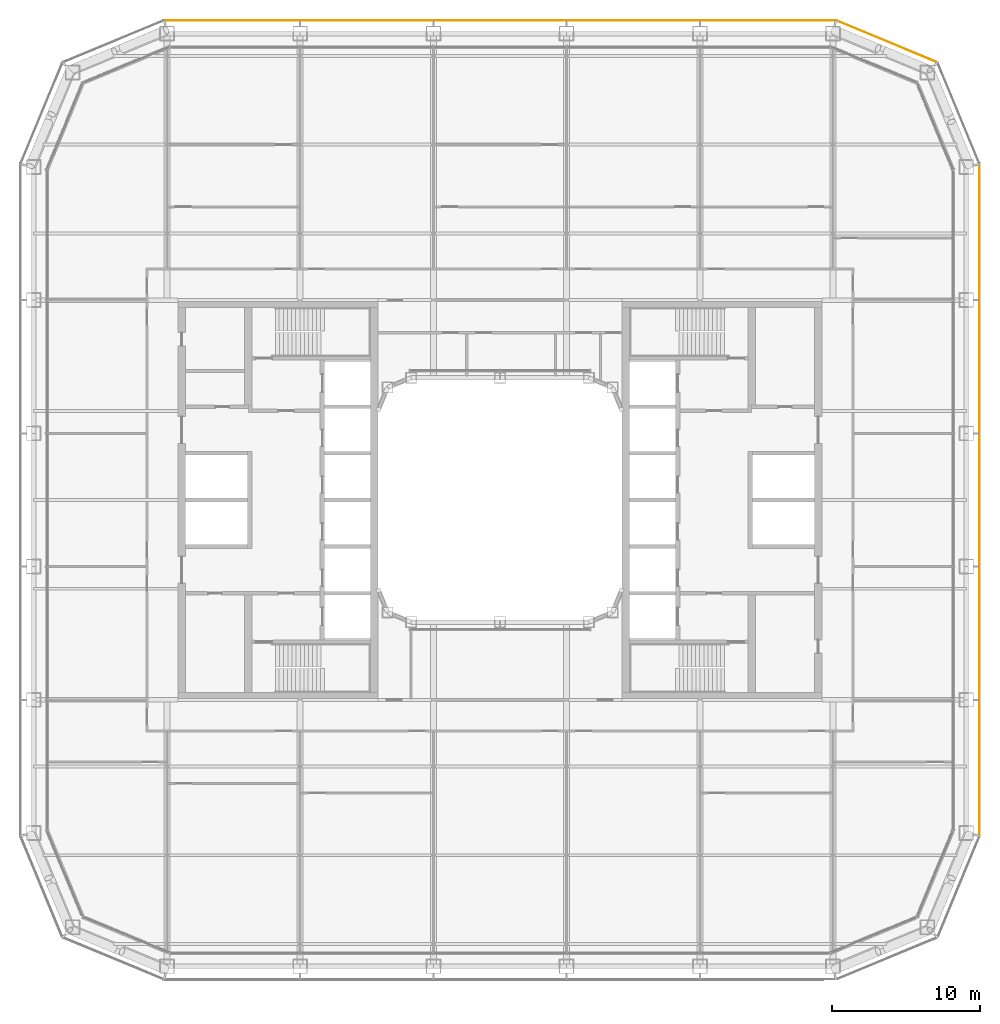
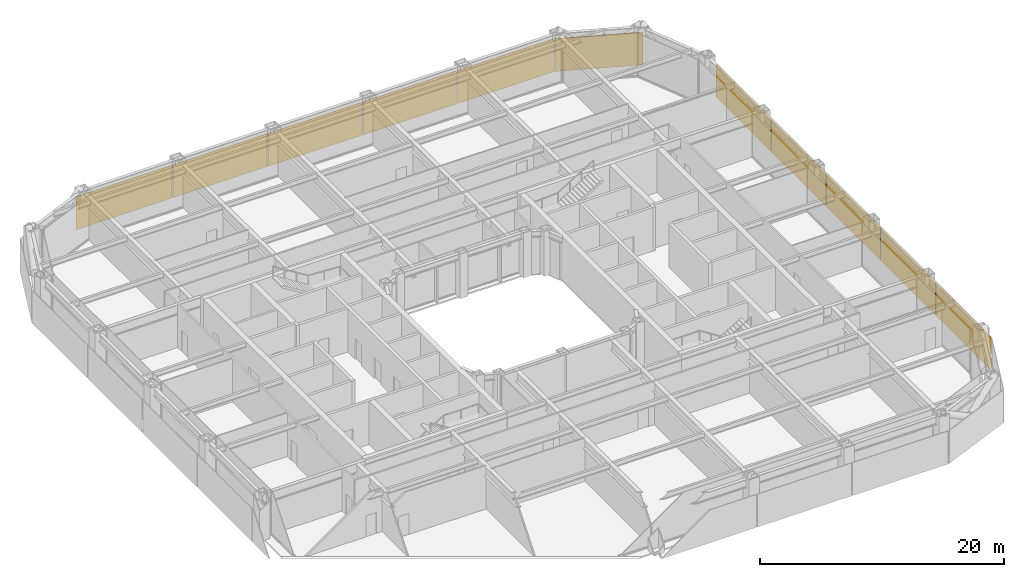
# One storey, part 25 of 25: 11 coverings.
"""IFC4 building model written with IfcOpenShell, lengths in metres."""

from ifc_helpers import new_model, si_unit, direction, frame, origin, origin_2d, place, context, subcontext, project, spatial, rectangle, extrude, material, layer, layer_set, type_object, element, save


model = new_model("IFC4")

# Units and contexts
model_context = context("Model", 3, precision=1e-05, world=origin(), true_north=direction((0.0, 1.0)))
body_context = subcontext(model_context, "Body", "Model", "MODEL_VIEW")
ifc_project = project(units=[si_unit("LENGTHUNIT", "METRE"), si_unit("AREAUNIT", "SQUARE_METRE"), si_unit("VOLUMEUNIT", "CUBIC_METRE"), si_unit("PLANEANGLEUNIT", "RADIAN"), si_unit("MASSUNIT", "GRAM", prefix="KILO")], contexts=[model_context])

# Site, building, storey
site_placement = place(None, origin())
site = spatial("IfcSite", under=ifc_project, at=site_placement, CompositionType="ELEMENT")
building_placement = place(site_placement, origin())
building = spatial("IfcBuilding", under=site, at=building_placement, Name="Siwar Civic Tower", CompositionType="ELEMENT")
storey_placement = place(building_placement, frame((0.0, 0.0, 58.199951171875)))
storey = spatial("IfcBuildingStorey", under=building, at=storey_placement, Name="L12", CompositionType="ELEMENT", Elevation=58.199951171875)

# Coverings
ifc_material = material(Name="Perforated aluminium cassette, pale metal", Category="aluminium")
ifc_layer = layer(ifc_material, 0.0400390625)
ifc_layer_set = layer_set([ifc_layer], Name="Perforated aluminium cassette, pale metal")
covering_type = type_object("IfcCoveringType", Name="ENV-OUTER SKIN OS-1", PredefinedType="CLADDING", material=ifc_layer_set)
covering_1_placement = place(storey_placement, frame((32.39990234375, -18.07958984375, -0.14990234375), z_axis=(0.0, 0.0, 1.0), x_axis=(0.0, 1.0, 0.0)))
element("IfcCovering", 1, at=covering_1_placement, inside=storey, type_object=covering_type, Name="OUTER SKIN OS-1 E 1", PredefinedType="CLADDING", context=body_context, shape_type="SweptSolid", body=[
    extrude(rectangle(XDim=9.05908203125, YDim=0.0400390625, at=origin_2d()), origin(), (0.0, 0.0, 1.0), 3.300048828125),
])
for number, where, z_axis, x_axis, name in (
    (2, (32.39990234375, -9.0, -0.14990234375), (0.0, 0.0, 1.0), (0.0, 1.0, 0.0), "OUTER SKIN OS-1 E 2"),
    (3, (32.39990234375, 0.0, -0.14990234375), (0.0, 0.0, 1.0), (0.0, 1.0, 0.0), "OUTER SKIN OS-1 E 3"),
    (4, (32.39990234375, 9.0, -0.14990234375), (0.0, 0.0, 1.0), (0.0, 1.0, 0.0), "OUTER SKIN OS-1 E 4"),
):
    element("IfcCovering", number, at=place(storey_placement, frame(where, z_axis=z_axis, x_axis=x_axis)), inside=storey, type_object=covering_type, Name=name, PredefinedType="CLADDING", context=body_context, shape_type="SweptSolid", body=[
        extrude(rectangle(XDim=8.89990234375, YDim=0.0400390625, at=origin_2d()), origin(), (0.0, 0.0, 1.0), 3.300048828125),
    ])
covering_2_placement = place(storey_placement, frame((32.39990234375, 18.07958984375, -0.14990234375), z_axis=(0.0, 0.0, 1.0), x_axis=(0.0, 1.0, 0.0)))
element("IfcCovering", 5, at=covering_2_placement, inside=storey, type_object=covering_type, Name="OUTER SKIN OS-1 E 5", PredefinedType="CLADDING", context=body_context, shape_type="SweptSolid", body=[
    extrude(rectangle(XDim=9.05908203125, YDim=0.0400390625, at=origin_2d()), origin(), (0.0, 0.0, 1.0), 3.300048828125),
])
covering_3_placement = place(storey_placement, frame((26.115966796875, 30.976318359375, -0.14990234375), z_axis=(0.0, 0.0, 1.0), x_axis=(-0.923879532511, 0.382683432365, 0.0)))
element("IfcCovering", 6, at=covering_3_placement, inside=storey, type_object=covering_type, Name="OUTER SKIN OS-1 NE2 1", PredefinedType="CLADDING", context=body_context, shape_type="SweptSolid", body=[
    extrude(rectangle(XDim=7.300048828125, YDim=0.0400390625, at=origin_2d()), origin(), (0.0, 0.0, 1.0), 3.300048828125),
])
covering_4_placement = place(storey_placement, frame((18.07958984375, 32.39990234375, -0.14990234375), z_axis=(0.0, 0.0, 1.0), x_axis=(-1.0, 0.0, 0.0)))
element("IfcCovering", 7, at=covering_4_placement, inside=storey, type_object=covering_type, Name="OUTER SKIN OS-1 N 1", PredefinedType="CLADDING", context=body_context, shape_type="SweptSolid", body=[
    extrude(rectangle(XDim=9.05908203125, YDim=0.0400390625, at=origin_2d()), origin(), (0.0, 0.0, 1.0), 3.300048828125),
])
for number, where, z_axis, x_axis, name in (
    (8, (9.0, 32.39990234375, -0.14990234375), (0.0, 0.0, 1.0), (-1.0, 0.0, 0.0), "OUTER SKIN OS-1 N 2"),
    (9, (0.0, 32.39990234375, -0.14990234375), (0.0, 0.0, 1.0), (-1.0, 0.0, 0.0), "OUTER SKIN OS-1 N 3"),
    (10, (-9.0, 32.39990234375, -0.14990234375), (0.0, 0.0, 1.0), (-1.0, 0.0, 0.0), "OUTER SKIN OS-1 N 4"),
):
    element("IfcCovering", number, at=place(storey_placement, frame(where, z_axis=z_axis, x_axis=x_axis)), inside=storey, type_object=covering_type, Name=name, PredefinedType="CLADDING", context=body_context, shape_type="SweptSolid", body=[
        extrude(rectangle(XDim=8.89990234375, YDim=0.0400390625, at=origin_2d()), origin(), (0.0, 0.0, 1.0), 3.300048828125),
    ])
covering_5_placement = place(storey_placement, frame((-18.07958984375, 32.39990234375, -0.14990234375), z_axis=(0.0, 0.0, 1.0), x_axis=(-1.0, 0.0, 0.0)))
element("IfcCovering", 11, at=covering_5_placement, inside=storey, type_object=covering_type, Name="OUTER SKIN OS-1 N 5", PredefinedType="CLADDING", context=body_context, shape_type="SweptSolid", body=[
    extrude(rectangle(XDim=9.05908203125, YDim=0.0400390625, at=origin_2d()), origin(), (0.0, 0.0, 1.0), 3.300048828125),
])

save(model, "model.ifc")
